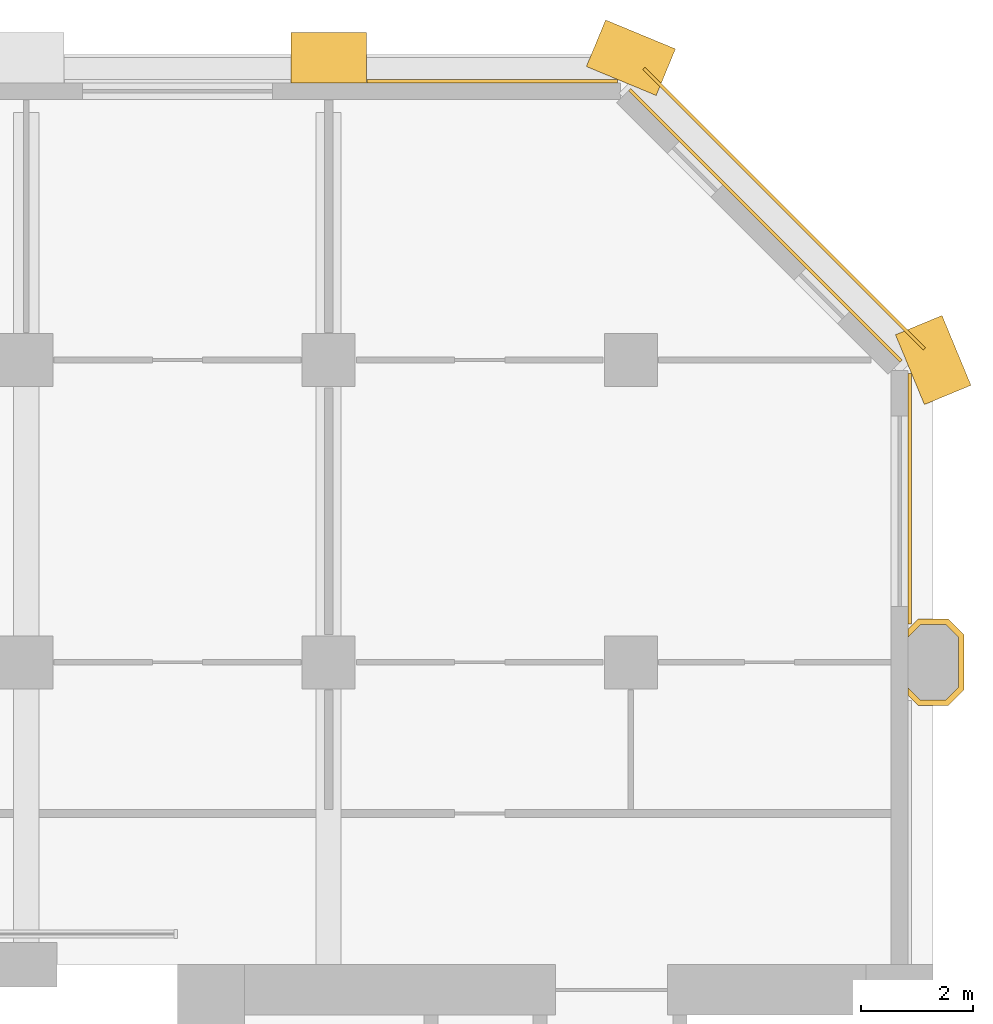
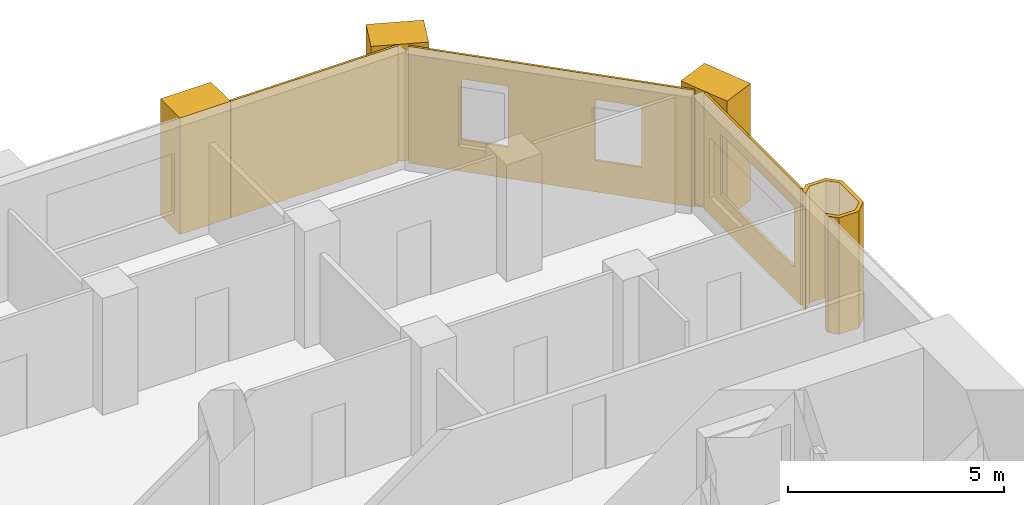
# One storey, part 13 of 13: 8 coverings.
"""IFC4 building model written with IfcOpenShell, lengths in metres."""

from ifc_helpers import new_model, si_unit, direction, frame, frame_2d, origin, place, context, subcontext, project, spatial, polyline, rectangle, outline, extrude, material, layer, layer_set, type_object, element, save


model = new_model("IFC4")

# Units and contexts
model_context = context("Model", 3, precision=1e-05, world=origin(), true_north=direction((0.0, 1.0)))
body_context = subcontext(model_context, "Body", "Model", "MODEL_VIEW")
ifc_project = project(units=[si_unit("LENGTHUNIT", "METRE"), si_unit("AREAUNIT", "SQUARE_METRE"), si_unit("VOLUMEUNIT", "CUBIC_METRE"), si_unit("PLANEANGLEUNIT", "RADIAN"), si_unit("MASSUNIT", "GRAM", prefix="KILO")], contexts=[model_context])

# Site, building, storey
site_placement = place(None, origin())
site = spatial("IfcSite", under=ifc_project, at=site_placement, CompositionType="ELEMENT")
building_placement = place(site_placement, origin())
building = spatial("IfcBuilding", under=site, at=building_placement, Name="Tabaq Tower and Sports Hall", CompositionType="ELEMENT")
storey_placement = place(building_placement, frame((0.0, 0.0, 122.0)))
storey = spatial("IfcBuildingStorey", under=building, at=storey_placement, Name="L29", CompositionType="ELEMENT", Elevation=122.0)

# Coverings
ifc_material_1 = material(Name="Precast concrete C60/75", Category="concrete")
ifc_layer_1 = layer(ifc_material_1, 0.10009765625)
ifc_layer_set_1 = layer_set([ifc_layer_1], Name="Column cladding 100")
covering_type_1 = type_object("IfcCoveringType", Name="Column cladding 100", PredefinedType="CLADDING", material=ifc_layer_set_1)
covering_1_placement = place(storey_placement, origin())
element("IfcCovering", 1, at=covering_1_placement, inside=storey, type_object=covering_type_1, Name="Column cladding L29 PC-9H-O3", PredefinedType="CLADDING", context=body_context, shape_type="SweptSolid", body=[
    extrude(outline(polyline([(42.93359375, 37.025390625), (42.750244140625, 37.208740234375), (42.750244140625, 37.349365234375), (42.974853515625, 37.124755859375), (43.425048828125, 37.124755859375), (43.650390625, 37.349853515625), (43.650390625, 38.250244140625), (43.425048828125, 38.475341796875), (42.974853515625, 38.475341796875), (42.750244140625, 38.250732421875), (42.750244140625, 38.391357421875), (42.93359375, 38.57470703125), (43.46630859375, 38.57470703125), (43.749755859375, 38.291259765625), (43.749755859375, 37.30859375), (43.46630859375, 37.025390625), (42.93359375, 37.025390625)])), origin(), (0.0, 0.0, 1.0), 3.300048828125),
])
ifc_material_2 = material(Name="Precast concrete C60/75", Category="concrete")
ifc_layer_2 = layer(ifc_material_2, 0.06005859375)
ifc_layer_set_2 = layer_set([ifc_layer_2], Name="Edge beam cladding 60")
covering_type_2 = type_object("IfcCoveringType", Name="Edge beam cladding 60", PredefinedType="CLADDING", material=ifc_layer_set_2)
covering_2_placement = place(storey_placement, frame((43.04443359375, 43.39794921875, -0.300048828125), z_axis=(0.0, 0.0, 1.0), x_axis=(-0.707106781187, 0.707106781187, 0.0)))
element("IfcCovering", 2, at=covering_2_placement, inside=storey, type_object=covering_type_2, Name="Edge beam cladding L29 1", PredefinedType="CLADDING", context=body_context, shape_type="SweptSolid", body=[
    extrude(rectangle(XDim=7.08837890625, YDim=0.06005859375, at=frame_2d((3.544189453125, 0.0))), origin(), (0.0, 0.0, 1.0), 0.300048828125),
])
ifc_material_3 = material(Name="White precast concrete C60/75", Category="concrete")
covering_type_3 = type_object("IfcCoveringType", Name="Pier cladding hung 1350x900", PredefinedType="CLADDING", material=ifc_material_3)
covering_3_placement = place(storey_placement, frame((33.074951171875, 48.60009765625, 0.0), z_axis=(0.0, 0.0, 1.0), x_axis=(-1.0, 0.0, 0.0)))
element("IfcCovering", 3, at=covering_3_placement, inside=storey, type_object=covering_type_3, Name="Hung pier cladding 6/9", PredefinedType="CLADDING", context=body_context, shape_type="SweptSolid", body=[
    extrude(rectangle(XDim=1.349853515625, YDim=0.89990234375, at=frame_2d((0.6748046875, 0.0))), origin(), (0.0, 0.0, 1.0), 3.300048828125),
])
for number, where, z_axis, x_axis, name in (
    (4, (38.423583984375, 48.341796875, 0.0), (0.0, 0.0, 1.0), (-0.923893411637, 0.382649923473, 0.0), "Hung pier cladding 7/9"),
    (5, (43.458251953125, 42.576416015625, 0.0), (0.0, 0.0, 1.0), (-0.382649923473, 0.923893411637, 0.0), "Hung pier cladding 8/8"),
):
    element("IfcCovering", number, at=place(storey_placement, frame(where, z_axis=z_axis, x_axis=x_axis)), inside=storey, type_object=covering_type_3, Name=name, PredefinedType="CLADDING", context=body_context, shape_type="SweptSolid", body=[
        extrude(rectangle(XDim=1.35009765625, YDim=0.89990234375, at=frame_2d((0.675048828125, 0.0))), origin(), (0.0, 0.0, 1.0), 3.300048828125),
    ])
ifc_material_4 = material(Name="Precast concrete C60/75", Category="concrete")
ifc_layer_3 = layer(ifc_material_4, 0.06005859375)
ifc_layer_set_3 = layer_set([ifc_layer_3], Name="White precast cladding panel 60 C60/75")
covering_type_4 = type_object("IfcCoveringType", Name="White precast cladding panel 60 C60/75", PredefinedType="CLADDING", material=ifc_layer_set_3)
covering_4_placement = place(storey_placement, frame((42.780029296875, 38.485107421875, 0.0), z_axis=(0.0, 0.0, 1.0), x_axis=(0.0, 1.0, 0.0)))
element("IfcCovering", 6, at=covering_4_placement, inside=storey, type_object=covering_type_4, Name="White precast cladding panel L29 wall02-1 2", PredefinedType="CLADDING", context=body_context, shape_type="SweptSolid", body=[
    extrude(outline(polyline([(0.0, 0.0), (4.4716796875, 0.0), (4.4716796875, 3.300048828125), (0.0, 3.300048828125), (0.0, 0.0)]), holes=[polyline([(0.304931640625, 0.889892578125), (0.304931640625, 2.610107421875), (3.72509765625, 2.610107421875), (3.72509765625, 0.889892578125), (0.304931640625, 0.889892578125)])]), frame((0.0, 0.030029296875, 0.0), z_axis=(0.0, -1.0, 0.0), x_axis=(1.0, 0.0, 0.0)), (0.0, 0.0, 1.0), 0.06005859375),
])
covering_5_placement = place(storey_placement, frame((42.628173828125, 43.177734375, 0.0), z_axis=(0.0, 0.0, 1.0), x_axis=(-0.707088985397, 0.707124576528, 0.0)))
element("IfcCovering", 7, at=covering_5_placement, inside=storey, type_object=covering_type_4, Name="White precast cladding panel L29 wall03", PredefinedType="CLADDING", context=body_context, shape_type="SweptSolid", body=[
    extrude(outline(polyline([(0.0, 0.0), (6.859619140625, 0.0), (6.859619140625, 3.300048828125), (0.0, 3.300048828125), (0.0, 0.0)]), holes=[polyline([(1.269775390625, 2.610107421875), (2.389892578125, 2.610107421875), (2.389892578125, 0.889892578125), (1.269775390625, 0.889892578125), (1.269775390625, 2.610107421875)]), polyline([(4.4697265625, 2.610107421875), (5.58984375, 2.610107421875), (5.58984375, 0.889892578125), (4.4697265625, 0.889892578125), (4.4697265625, 2.610107421875)])]), frame((0.0, 0.030029296875, 0.0), z_axis=(0.0, -1.0, 0.0), x_axis=(1.0, 0.0, 0.0)), (0.0, 0.0, 1.0), 0.06005859375),
])
covering_6_placement = place(storey_placement, frame((37.556884765625, 48.179931640625, 0.0), z_axis=(0.0, 0.0, 1.0), x_axis=(-1.0, 0.0, 0.0)))
element("IfcCovering", 8, at=covering_6_placement, inside=storey, type_object=covering_type_4, Name="White precast cladding panel L29 wall04", PredefinedType="CLADDING", context=body_context, shape_type="SweptSolid", body=[
    extrude(rectangle(XDim=4.471923828125, YDim=0.06005859375, at=frame_2d((2.23583984375, 0.0))), origin(), (0.0, 0.0, 1.0), 3.300048828125),
])

save(model, "model.ifc")
